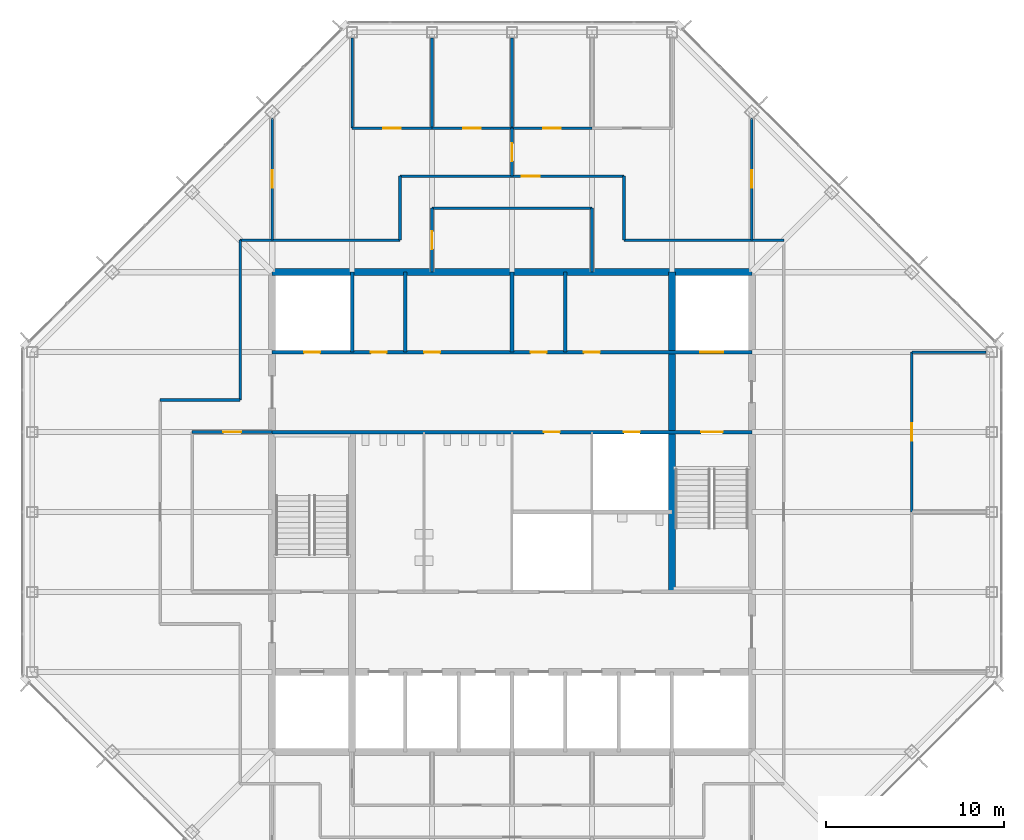
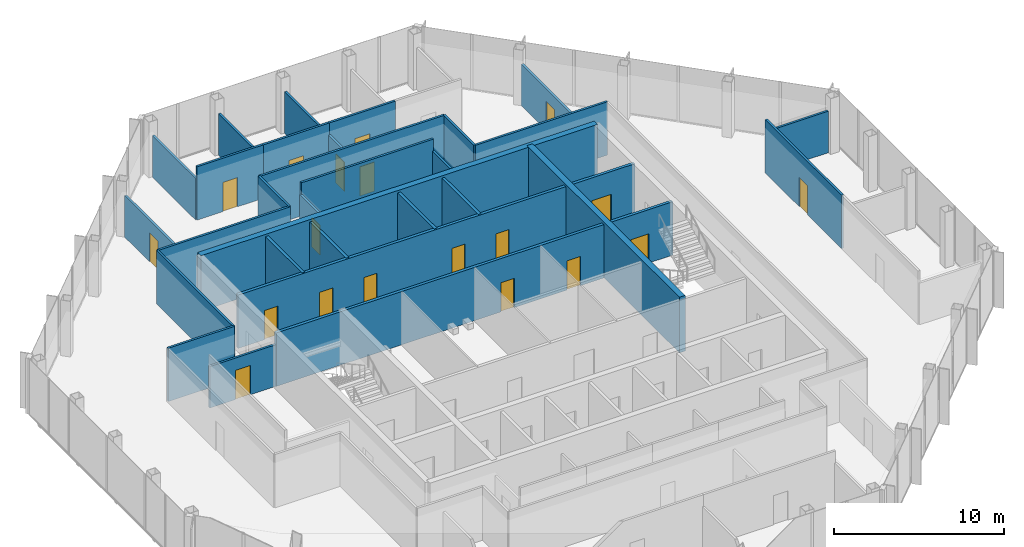
# One storey, part 11 of 14: 30 walls, 19 doors, 19 openings.
"""IFC4 building model written with IfcOpenShell, lengths in metres."""

from ifc_helpers import new_model, si_unit, direction, frame, frame_2d, origin, place, context, subcontext, project, spatial, rectangle, extrude, material, layer, layer_set, type_object, element, fill, save


model = new_model("IFC4")

# Units and contexts
model_context = context("Model", 3, precision=1e-05, world=origin(), true_north=direction((0.0, 1.0)))
body_context = subcontext(model_context, "Body", "Model", "MODEL_VIEW")
ifc_project = project(units=[si_unit("LENGTHUNIT", "METRE"), si_unit("AREAUNIT", "SQUARE_METRE"), si_unit("VOLUMEUNIT", "CUBIC_METRE"), si_unit("PLANEANGLEUNIT", "RADIAN"), si_unit("MASSUNIT", "GRAM", prefix="KILO")], contexts=[model_context])

# Site, building, storey
site_placement = place(None, origin())
site = spatial("IfcSite", under=ifc_project, at=site_placement, CompositionType="ELEMENT")
building_placement = place(site_placement, origin())
building = spatial("IfcBuilding", under=site, at=building_placement, Name="Corais Broadcast Tower", CompositionType="ELEMENT")
storey_placement = place(building_placement, frame((0.0, 0.0, 282.60009765625)))
storey = spatial("IfcBuildingStorey", under=building, at=storey_placement, Name="L66", CompositionType="ELEMENT", Elevation=282.60009765625)

# Wall
ifc_material_1 = material(Name="Concrete blockwork class A, grouted, two-hour", Category="masonry")
ifc_layer_1 = layer(ifc_material_1, 0.199951171875)
ifc_layer_set_1 = layer_set([ifc_layer_1], Name="Concrete blockwork class A, grouted, two-hour")
wall_type_1 = type_object("IfcWallType", Name="Core lobby wall 200", PredefinedType="SOLIDWALL", material=ifc_layer_set_1)
wall_1_placement = place(storey_placement, frame((18.0, 36.0, 0.0), z_axis=(0.0, 0.0, 1.0), x_axis=(0.0, 1.0, 0.0)))
element("IfcWall", 1, at=wall_1_placement, inside=storey, type_object=wall_type_1, Name="CL3 core shaft wall X18B L66", PredefinedType="SOLIDWALL", context=body_context, shape_type="SweptSolid", body=[
    extrude(rectangle(XDim=4.5, YDim=0.199951171875, at=frame_2d((2.25, 0.0))), origin(), (0.0, 0.0, 1.0), 3.83984375),
])

# Wall, openings, doors
wall_2_placement = place(storey_placement, frame((13.5, 31.5, 0.0), z_axis=(0.0, 0.0, 1.0), x_axis=(1.0, 0.0, 0.0)))
wall_2 = element("IfcWall", 2, at=wall_2_placement, inside=storey, type_object=wall_type_1, Name="CL3 core lobby wall Y315 L66", PredefinedType="SOLIDWALL", context=body_context, shape_type="SweptSolid", body=[
    extrude(rectangle(XDim=27.0, YDim=0.199951171875, at=frame_2d((13.5, 0.0))), origin(), (0.0, 0.0, 1.0), 3.83984375),
])
opening_1_placement = place(wall_2_placement, frame((24.14990234375, 0.0, 0.0)))
opening_1 = element("IfcOpeningElement", 3, at=opening_1_placement, cuts=wall_2, Name="Opening FD1", PredefinedType="OPENING", context=body_context, shape_type="SweptSolid", body=[
    extrude(rectangle(XDim=1.199951171875, YDim=2.10009765625, at=frame_2d((0.60009765625, 1.050048828125))), frame((0.0, 0.10986328125, 0.0), z_axis=(0.0, -1.0, 0.0), x_axis=(1.0, 0.0, 0.0)), (0.0, 0.0, 1.0), 0.219970703125),
])
opening_2_placement = place(wall_2_placement, frame((15.300048828125, 0.0, 0.0)))
opening_2 = element("IfcOpeningElement", 4, at=opening_2_placement, cuts=wall_2, Name="Opening RD1", PredefinedType="OPENING", context=body_context, shape_type="SweptSolid", body=[
    extrude(rectangle(XDim=0.89990234375, YDim=2.10009765625, at=frame_2d((0.449951171875, 1.050048828125))), frame((0.0, 0.10986328125, 0.0), z_axis=(0.0, -1.0, 0.0), x_axis=(1.0, 0.0, 0.0)), (0.0, 0.0, 1.0), 0.219970703125),
])
opening_3_placement = place(wall_2_placement, frame((19.800048828125, 0.0, 0.0)))
opening_3 = element("IfcOpeningElement", 5, at=opening_3_placement, cuts=wall_2, Name="Opening RD1", PredefinedType="OPENING", context=body_context, shape_type="SweptSolid", body=[
    extrude(rectangle(XDim=0.89990234375, YDim=2.10009765625, at=frame_2d((0.449951171875, 1.050048828125))), frame((0.0, 0.10986328125, 0.0), z_axis=(0.0, -1.0, 0.0), x_axis=(1.0, 0.0, 0.0)), (0.0, 0.0, 1.0), 0.219970703125),
])
ifc_material_2 = material(Name="Steel fire door", Category="steel")
door_type_1 = type_object("IfcDoorType", Name="Fire door 1200x2100", OperationType="SINGLE_SWING_LEFT", PredefinedType="DOOR", material=ifc_material_2)
door_1_placement = place(opening_1_placement, origin())
door_1 = element("IfcDoor", 6, at=door_1_placement, inside=storey, type_object=door_type_1, Name="FD1 stair B door L66", OperationType="SINGLE_SWING_RIGHT", OverallHeight=2.10009765625, OverallWidth=1.199951171875, PredefinedType="DOOR", context=body_context, shape_type="SweptSolid", body=[
    extrude(rectangle(XDim=1.199951171875, YDim=2.10009765625, at=frame_2d((0.60009765625, 1.050048828125))), frame((0.0, 0.02490234375, 0.0), z_axis=(0.0, -1.0, 0.0), x_axis=(1.0, 0.0, 0.0)), (0.0, 0.0, 1.0), 0.050048828125),
])
fill(opening_1, door_1)
ifc_material_3 = material(Name="Steel fire door", Category="steel")
door_type_2 = type_object("IfcDoorType", Name="Riser door 900x2100", OperationType="SINGLE_SWING_LEFT", PredefinedType="DOOR", material=ifc_material_3)
door_2_placement = place(opening_2_placement, origin())
door_2 = element("IfcDoor", 7, at=door_2_placement, inside=storey, type_object=door_type_2, Name="RD1 tea point door L66", OperationType="SINGLE_SWING_RIGHT", OverallHeight=2.10009765625, OverallWidth=0.89990234375, PredefinedType="DOOR", context=body_context, shape_type="SweptSolid", body=[
    extrude(rectangle(XDim=0.89990234375, YDim=2.10009765625, at=frame_2d((0.449951171875, 1.050048828125))), frame((0.0, 0.02490234375, 0.0), z_axis=(0.0, -1.0, 0.0), x_axis=(1.0, 0.0, 0.0)), (0.0, 0.0, 1.0), 0.050048828125),
])
fill(opening_2, door_2)
door_3_placement = place(opening_3_placement, origin())
door_3 = element("IfcDoor", 8, at=door_3_placement, inside=storey, type_object=door_type_2, Name="RD1 riser door L66", OperationType="SINGLE_SWING_RIGHT", OverallHeight=2.10009765625, OverallWidth=0.89990234375, PredefinedType="DOOR", context=body_context, shape_type="SweptSolid", body=[
    extrude(rectangle(XDim=0.89990234375, YDim=2.10009765625, at=frame_2d((0.449951171875, 1.050048828125))), frame((0.0, 0.02490234375, 0.0), z_axis=(0.0, -1.0, 0.0), x_axis=(1.0, 0.0, 0.0)), (0.0, 0.0, 1.0), 0.050048828125),
])
fill(opening_3, door_3)

# Walls
ifc_material_4 = material(Name="Concrete C50/60", Category="concrete")
ifc_layer_2 = layer(ifc_material_4, 0.39990234375)
ifc_layer_set_2 = layer_set([ifc_layer_2], Name="Concrete C50/60")
wall_type_2 = type_object("IfcWallType", Name="Core wall 400", PredefinedType="SHEAR", material=ifc_layer_set_2)
wall_3_placement = place(storey_placement, frame((40.5, 40.5, 0.0), z_axis=(0.0, 0.0, 1.0), x_axis=(-1.0, 0.0, 0.0)))
element("IfcWall", 9, at=wall_3_placement, inside=storey, type_object=wall_type_2, Name="CR400 core wall N L66", PredefinedType="SHEAR", context=body_context, shape_type="SweptSolid", body=[
    extrude(rectangle(XDim=27.0, YDim=0.39990234375, at=frame_2d((13.5, 0.0))), origin(), (0.0, 0.0, 1.0), 4.0),
])
wall_4_placement = place(storey_placement, frame((36.0, 22.5, 0.0), z_axis=(0.0, 0.0, 1.0), x_axis=(0.0, 1.0, 0.0)))
element("IfcWall", 10, at=wall_4_placement, inside=storey, type_object=wall_type_2, Name="CR400 core wall X36B L66", PredefinedType="SHEAR", context=body_context, shape_type="SweptSolid", body=[
    extrude(rectangle(XDim=18.0, YDim=0.39990234375, at=frame_2d((9.0, 0.0))), origin(), (0.0, 0.0, 1.0), 4.0),
])

# Wall, openings, doors
ifc_material_5 = material(Name="Concrete blockwork class A, grouted, four-hour", Category="masonry")
ifc_layer_3 = layer(ifc_material_5, 0.199951171875)
ifc_layer_set_3 = layer_set([ifc_layer_3], Name="Concrete blockwork class A, grouted, four-hour")
wall_type_3 = type_object("IfcWallType", Name="Emergency lift shaft wall 200", PredefinedType="SOLIDWALL", material=ifc_layer_set_3)
wall_5_placement = place(storey_placement, frame((13.5, 36.0, 0.0), z_axis=(0.0, 0.0, 1.0), x_axis=(1.0, 0.0, 0.0)))
wall_5 = element("IfcWall", 11, at=wall_5_placement, inside=storey, type_object=wall_type_3, Name="LS3 core lobby wall Y36 L66", PredefinedType="SOLIDWALL", context=body_context, shape_type="SweptSolid", body=[
    extrude(rectangle(XDim=27.0, YDim=0.199951171875, at=frame_2d((13.5, 0.0))), origin(), (0.0, 0.0, 1.0), 3.83984375),
])
opening_4_placement = place(wall_5_placement, frame((1.800048828125, 0.0, 0.0)))
opening_4 = element("IfcOpeningElement", 12, at=opening_4_placement, cuts=wall_5, Name="Opening RD1", PredefinedType="OPENING", context=body_context, shape_type="SweptSolid", body=[
    extrude(rectangle(XDim=0.89990234375, YDim=2.10009765625, at=frame_2d((0.449951171875, 1.050048828125))), frame((0.0, 0.10986328125, 0.0), z_axis=(0.0, -1.0, 0.0), x_axis=(1.0, 0.0, 0.0)), (0.0, 0.0, 1.0), 0.219970703125),
])
opening_5_placement = place(wall_5_placement, frame((5.550048828125, 0.0, 0.0)))
opening_5 = element("IfcOpeningElement", 13, at=opening_5_placement, cuts=wall_5, Name="Opening RD1", PredefinedType="OPENING", context=body_context, shape_type="SweptSolid", body=[
    extrude(rectangle(XDim=0.89990234375, YDim=2.10009765625, at=frame_2d((0.449951171875, 1.050048828125))), frame((0.0, 0.10986328125, 0.0), z_axis=(0.0, -1.0, 0.0), x_axis=(1.0, 0.0, 0.0)), (0.0, 0.0, 1.0), 0.219970703125),
])
opening_6_placement = place(wall_5_placement, frame((8.550048828125, 0.0, 0.0)))
opening_6 = element("IfcOpeningElement", 14, at=opening_6_placement, cuts=wall_5, Name="Opening RD1", PredefinedType="OPENING", context=body_context, shape_type="SweptSolid", body=[
    extrude(rectangle(XDim=0.89990234375, YDim=2.10009765625, at=frame_2d((0.449951171875, 1.050048828125))), frame((0.0, 0.10986328125, 0.0), z_axis=(0.0, -1.0, 0.0), x_axis=(1.0, 0.0, 0.0)), (0.0, 0.0, 1.0), 0.219970703125),
])
opening_7_placement = place(wall_5_placement, frame((14.550048828125, 0.0, 0.0)))
opening_7 = element("IfcOpeningElement", 15, at=opening_7_placement, cuts=wall_5, Name="Opening RD1", PredefinedType="OPENING", context=body_context, shape_type="SweptSolid", body=[
    extrude(rectangle(XDim=0.89990234375, YDim=2.10009765625, at=frame_2d((0.449951171875, 1.050048828125))), frame((0.0, 0.10986328125, 0.0), z_axis=(0.0, -1.0, 0.0), x_axis=(1.0, 0.0, 0.0)), (0.0, 0.0, 1.0), 0.219970703125),
])
opening_8_placement = place(wall_5_placement, frame((17.550048828125, 0.0, 0.0)))
opening_8 = element("IfcOpeningElement", 16, at=opening_8_placement, cuts=wall_5, Name="Opening RD1", PredefinedType="OPENING", context=body_context, shape_type="SweptSolid", body=[
    extrude(rectangle(XDim=0.89990234375, YDim=2.10009765625, at=frame_2d((0.449951171875, 1.050048828125))), frame((0.0, 0.10986328125, 0.0), z_axis=(0.0, -1.0, 0.0), x_axis=(1.0, 0.0, 0.0)), (0.0, 0.0, 1.0), 0.219970703125),
])
opening_9_placement = place(wall_5_placement, frame((24.10009765625, 0.0, 0.0)))
opening_9 = element("IfcOpeningElement", 17, at=opening_9_placement, cuts=wall_5, Name="Opening LD2", PredefinedType="OPENING", context=body_context, shape_type="SweptSolid", body=[
    extrude(rectangle(XDim=1.300048828125, YDim=2.199951171875, at=frame_2d((0.64990234375, 1.10009765625))), frame((0.0, 0.10986328125, 0.0), z_axis=(0.0, -1.0, 0.0), x_axis=(1.0, 0.0, 0.0)), (0.0, 0.0, 1.0), 0.219970703125),
])
ifc_material_6 = material(Name="Stainless steel lift door", Category="steel")
door_type_3 = type_object("IfcDoorType", Name="Lift landing door 1300x2200", OperationType="SLIDING_TO_LEFT", PredefinedType="DOOR", material=ifc_material_6)
door_4_placement = place(opening_9_placement, origin())
door_4 = element("IfcDoor", 18, at=door_4_placement, inside=storey, type_object=door_type_3, Name="LD2 FL2 landing door L66", OperationType="SLIDING_TO_LEFT", OverallHeight=2.199951171875, OverallWidth=1.300048828125, PredefinedType="DOOR", context=body_context, shape_type="SweptSolid", body=[
    extrude(rectangle(XDim=1.300048828125, YDim=2.199951171875, at=frame_2d((0.64990234375, 1.10009765625))), frame((0.0, 0.02490234375, 0.0), z_axis=(0.0, -1.0, 0.0), x_axis=(1.0, 0.0, 0.0)), (0.0, 0.0, 1.0), 0.050048828125),
])
fill(opening_9, door_4)
door_5_placement = place(opening_4_placement, origin())
door_5 = element("IfcDoor", 19, at=door_5_placement, inside=storey, type_object=door_type_2, Name="RD1 riser door L66", OperationType="SINGLE_SWING_LEFT", OverallHeight=2.10009765625, OverallWidth=0.89990234375, PredefinedType="DOOR", context=body_context, shape_type="SweptSolid", body=[
    extrude(rectangle(XDim=0.89990234375, YDim=2.10009765625, at=frame_2d((0.449951171875, 1.050048828125))), frame((0.0, 0.02490234375, 0.0), z_axis=(0.0, -1.0, 0.0), x_axis=(1.0, 0.0, 0.0)), (0.0, 0.0, 1.0), 0.050048828125),
])
fill(opening_4, door_5)
door_6_placement = place(opening_5_placement, origin())
door_6 = element("IfcDoor", 20, at=door_6_placement, inside=storey, type_object=door_type_2, Name="RD1 media store door L66", OperationType="SINGLE_SWING_LEFT", OverallHeight=2.10009765625, OverallWidth=0.89990234375, PredefinedType="DOOR", context=body_context, shape_type="SweptSolid", body=[
    extrude(rectangle(XDim=0.89990234375, YDim=2.10009765625, at=frame_2d((0.449951171875, 1.050048828125))), frame((0.0, 0.02490234375, 0.0), z_axis=(0.0, -1.0, 0.0), x_axis=(1.0, 0.0, 0.0)), (0.0, 0.0, 1.0), 0.050048828125),
])
fill(opening_5, door_6)
door_7_placement = place(opening_6_placement, origin())
door_7 = element("IfcDoor", 21, at=door_7_placement, inside=storey, type_object=door_type_2, Name="RD1 locker room door L66", OperationType="SINGLE_SWING_LEFT", OverallHeight=2.10009765625, OverallWidth=0.89990234375, PredefinedType="DOOR", context=body_context, shape_type="SweptSolid", body=[
    extrude(rectangle(XDim=0.89990234375, YDim=2.10009765625, at=frame_2d((0.449951171875, 1.050048828125))), frame((0.0, 0.02490234375, 0.0), z_axis=(0.0, -1.0, 0.0), x_axis=(1.0, 0.0, 0.0)), (0.0, 0.0, 1.0), 0.050048828125),
])
fill(opening_6, door_7)
door_8_placement = place(opening_7_placement, origin())
door_8 = element("IfcDoor", 22, at=door_8_placement, inside=storey, type_object=door_type_2, Name="RD1 print room door L66", OperationType="SINGLE_SWING_RIGHT", OverallHeight=2.10009765625, OverallWidth=0.89990234375, PredefinedType="DOOR", context=body_context, shape_type="SweptSolid", body=[
    extrude(rectangle(XDim=0.89990234375, YDim=2.10009765625, at=frame_2d((0.449951171875, 1.050048828125))), frame((0.0, 0.02490234375, 0.0), z_axis=(0.0, -1.0, 0.0), x_axis=(1.0, 0.0, 0.0)), (0.0, 0.0, 1.0), 0.050048828125),
])
fill(opening_7, door_8)
door_9_placement = place(opening_8_placement, origin())
door_9 = element("IfcDoor", 23, at=door_9_placement, inside=storey, type_object=door_type_2, Name="RD1 wellness room door L66", OperationType="SINGLE_SWING_RIGHT", OverallHeight=2.10009765625, OverallWidth=0.89990234375, PredefinedType="DOOR", context=body_context, shape_type="SweptSolid", body=[
    extrude(rectangle(XDim=0.89990234375, YDim=2.10009765625, at=frame_2d((0.449951171875, 1.050048828125))), frame((0.0, 0.02490234375, 0.0), z_axis=(0.0, -1.0, 0.0), x_axis=(1.0, 0.0, 0.0)), (0.0, 0.0, 1.0), 0.050048828125),
])
fill(opening_8, door_9)

# Wall, opening, door
ifc_material_7 = material(Name="Gypsum board on steel studs", Category="steel")
ifc_layer_4 = layer(ifc_material_7, 0.14990234375)
ifc_layer_set_4 = layer_set([ifc_layer_4], Name="Gypsum board on steel studs")
wall_type_4 = type_object("IfcWallType", Name="Partition 150", PredefinedType="PARTITIONING", material=ifc_layer_set_4)
wall_6_placement = place(storey_placement, frame((33.300048828125, 45.89990234375, 0.0), z_axis=(0.0, 0.0, 1.0), x_axis=(-1.0, 0.0, 0.0)))
wall_6 = element("IfcWall", 24, at=wall_6_placement, inside=storey, type_object=wall_type_4, Name="IW3 corridor wall L66", PredefinedType="PARTITIONING", context=body_context, shape_type="SweptSolid", body=[
    extrude(rectangle(XDim=12.60009765625, YDim=0.14990234375, at=frame_2d((6.300048828125, 0.0))), origin(), (0.0, 0.0, 1.0), 3.83984375),
])
opening_10_placement = place(wall_6_placement, frame((4.75, 0.0, 0.0)))
opening_10 = element("IfcOpeningElement", 25, at=opening_10_placement, cuts=wall_6, Name="Opening D1", PredefinedType="OPENING", context=body_context, shape_type="SweptSolid", body=[
    extrude(rectangle(XDim=1.0, YDim=2.10009765625, at=frame_2d((0.5, 1.050048828125))), frame((0.0, 0.0849609375, 0.0), z_axis=(0.0, -1.0, 0.0), x_axis=(1.0, 0.0, 0.0)), (0.0, 0.0, 1.0), 0.169921875),
])
ifc_material_8 = material(Name="Timber door", Category="wood")
door_type_4 = type_object("IfcDoorType", Name="Single door 1000x2100", OperationType="SINGLE_SWING_LEFT", PredefinedType="DOOR", material=ifc_material_8)
door_10_placement = place(opening_10_placement, origin())
door_10 = element("IfcDoor", 26, at=door_10_placement, inside=storey, type_object=door_type_4, Name="D1 workplace door L66", OperationType="SINGLE_SWING_LEFT", OverallHeight=2.10009765625, OverallWidth=1.0, PredefinedType="DOOR", context=body_context, shape_type="SweptSolid", body=[
    extrude(rectangle(XDim=1.0, YDim=2.10009765625, at=frame_2d((0.5, 1.050048828125))), frame((0.0, 0.02490234375, 0.0), z_axis=(0.0, -1.0, 0.0), x_axis=(1.0, 0.0, 0.0)), (0.0, 0.0, 1.0), 0.050048828125),
])
fill(opening_10, door_10)

# Walls
for number, where, z_axis, x_axis, name in (
    (27, (11.699951171875, 42.300048828125, 0.0), (0.0, 0.0, 1.0), (0.0, -1.0, 0.0), "IW3 corridor wall L66"),
    (28, (20.699951171875, 42.300048828125, 0.0), (0.0, 0.0, 1.0), (-1.0, 0.0, 0.0), "IW3 corridor wall L66"),
    (29, (42.300048828125, 42.300048828125, 0.0), (0.0, 0.0, 1.0), (-1.0, 0.0, 0.0), "IW3 corridor wall L66"),
):
    element("IfcWall", number, at=place(storey_placement, frame(where, z_axis=z_axis, x_axis=x_axis)), inside=storey, type_object=wall_type_4, Name=name, PredefinedType="PARTITIONING", context=body_context, shape_type="SweptSolid", body=[
        extrude(rectangle(XDim=9.0, YDim=0.14990234375, at=frame_2d((4.5, 0.0))), origin(), (0.0, 0.0, 1.0), 3.83984375),
    ])
wall_7_placement = place(storey_placement, frame((11.699951171875, 33.300048828125, 0.0), z_axis=(0.0, 0.0, 1.0), x_axis=(-1.0, 0.0, 0.0)))
element("IfcWall", 30, at=wall_7_placement, inside=storey, type_object=wall_type_4, Name="IW3 corridor wall L66", PredefinedType="PARTITIONING", context=body_context, shape_type="SweptSolid", body=[
    extrude(rectangle(XDim=4.5, YDim=0.14990234375, at=frame_2d((2.25, 0.0))), origin(), (0.0, 0.0, 1.0), 3.83984375),
])
for number, where, z_axis, x_axis, name in (
    (31, (20.699951171875, 45.89990234375, 0.0), (0.0, 0.0, 1.0), (0.0, -1.0, 0.0), "IW3 corridor wall L66"),
    (32, (33.300048828125, 42.300048828125, 0.0), (0.0, 0.0, 1.0), (0.0, 1.0, 0.0), "IW3 corridor wall L66"),
):
    element("IfcWall", number, at=place(storey_placement, frame(where, z_axis=z_axis, x_axis=x_axis)), inside=storey, type_object=wall_type_4, Name=name, PredefinedType="PARTITIONING", context=body_context, shape_type="SweptSolid", body=[
        extrude(rectangle(XDim=3.599853515625, YDim=0.14990234375, at=frame_2d((1.7998046875, 0.0))), origin(), (0.0, 0.0, 1.0), 3.83984375),
    ])
wall_8_placement = place(storey_placement, frame((53.68994140625, 36.0, 0.0), z_axis=(0.0, 0.0, 1.0), x_axis=(-1.0, 0.0, 0.0)))
element("IfcWall", 33, at=wall_8_placement, inside=storey, type_object=wall_type_4, Name="IW3 partition L66", PredefinedType="PARTITIONING", context=body_context, shape_type="SweptSolid", body=[
    extrude(rectangle(XDim=4.18994140625, YDim=0.14990234375, at=frame_2d((2.094970703125, 0.0))), origin(), (0.0, 0.0, 1.0), 2.989013671875),
])

# Wall, opening, door
wall_9_placement = place(storey_placement, frame((49.5, 36.0, 0.0), z_axis=(0.0, 0.0, 1.0), x_axis=(0.0, -1.0, 0.0)))
wall_9 = element("IfcWall", 34, at=wall_9_placement, inside=storey, type_object=wall_type_4, Name="IW3 partition L66", PredefinedType="PARTITIONING", context=body_context, shape_type="SweptSolid", body=[
    extrude(rectangle(XDim=9.0, YDim=0.14990234375, at=frame_2d((4.5, 0.0))), origin(), (0.0, 0.0, 1.0), 3.83984375),
])
opening_11_placement = place(wall_9_placement, frame((4.0, 0.0, 0.0)))
opening_11 = element("IfcOpeningElement", 35, at=opening_11_placement, cuts=wall_9, Name="Opening D1", PredefinedType="OPENING", context=body_context, shape_type="SweptSolid", body=[
    extrude(rectangle(XDim=1.0, YDim=2.10009765625, at=frame_2d((0.5, 1.050048828125))), frame((0.0, 0.0849609375, 0.0), z_axis=(0.0, -1.0, 0.0), x_axis=(1.0, 0.0, 0.0)), (0.0, 0.0, 1.0), 0.169921875),
])
door_11_placement = place(opening_11_placement, origin())
door_11 = element("IfcDoor", 36, at=door_11_placement, inside=storey, type_object=door_type_4, Name="D1 Director office door", OperationType="SINGLE_SWING_LEFT", OverallHeight=2.10009765625, OverallWidth=1.0, PredefinedType="DOOR", context=body_context, shape_type="SweptSolid", body=[
    extrude(rectangle(XDim=1.0, YDim=2.10009765625, at=frame_2d((0.5, 1.050048828125))), frame((0.0, 0.02490234375, 0.0), z_axis=(0.0, -1.0, 0.0), x_axis=(1.0, 0.0, 0.0)), (0.0, 0.0, 1.0), 0.050048828125),
])
fill(opening_11, door_11)

wall_10_placement = place(storey_placement, frame((13.5, 31.5, 0.0), z_axis=(0.0, 0.0, 1.0), x_axis=(-1.0, 0.0, 0.0)))
wall_10 = element("IfcWall", 37, at=wall_10_placement, inside=storey, type_object=wall_type_4, Name="IW3 partition L66", PredefinedType="PARTITIONING", context=body_context, shape_type="SweptSolid", body=[
    extrude(rectangle(XDim=4.5, YDim=0.14990234375, at=frame_2d((2.25, 0.0))), origin(), (0.0, 0.0, 1.0), 2.989013671875),
])
opening_12_placement = place(wall_10_placement, frame((1.75, 0.0, 0.0)))
opening_12 = element("IfcOpeningElement", 38, at=opening_12_placement, cuts=wall_10, Name="Opening D1", PredefinedType="OPENING", context=body_context, shape_type="SweptSolid", body=[
    extrude(rectangle(XDim=1.0, YDim=2.10009765625, at=frame_2d((0.5, 1.050048828125))), frame((0.0, 0.0849609375, 0.0), z_axis=(0.0, -1.0, 0.0), x_axis=(1.0, 0.0, 0.0)), (0.0, 0.0, 1.0), 0.169921875),
])
door_12_placement = place(opening_12_placement, origin())
door_12 = element("IfcDoor", 39, at=door_12_placement, inside=storey, type_object=door_type_4, Name="D1 Meeting room door", OperationType="SINGLE_SWING_LEFT", OverallHeight=2.10009765625, OverallWidth=1.0, PredefinedType="DOOR", context=body_context, shape_type="SweptSolid", body=[
    extrude(rectangle(XDim=1.0, YDim=2.10009765625, at=frame_2d((0.5, 1.050048828125))), frame((0.0, 0.02490234375, 0.0), z_axis=(0.0, -1.0, 0.0), x_axis=(1.0, 0.0, 0.0)), (0.0, 0.0, 1.0), 0.050048828125),
])
fill(opening_12, door_12)

# Walls
wall_11_placement = place(storey_placement, frame((31.5, 40.5, 0.0), z_axis=(0.0, 0.0, 1.0), x_axis=(0.0, 1.0, 0.0)))
element("IfcWall", 40, at=wall_11_placement, inside=storey, type_object=wall_type_4, Name="IW3 partition L66", PredefinedType="PARTITIONING", context=body_context, shape_type="SweptSolid", body=[
    extrude(rectangle(XDim=3.60009765625, YDim=0.14990234375, at=frame_2d((1.800048828125, 0.0))), origin(), (0.0, 0.0, 1.0), 2.989013671875),
])
wall_12_placement = place(storey_placement, frame((31.5, 44.10009765625, 0.0), z_axis=(0.0, 0.0, 1.0), x_axis=(-1.0, 0.0, 0.0)))
element("IfcWall", 41, at=wall_12_placement, inside=storey, type_object=wall_type_4, Name="IW3 partition L66", PredefinedType="PARTITIONING", context=body_context, shape_type="SweptSolid", body=[
    extrude(rectangle(XDim=9.0, YDim=0.14990234375, at=frame_2d((4.5, 0.0))), origin(), (0.0, 0.0, 1.0), 3.83984375),
])

# Wall, opening, door
wall_13_placement = place(storey_placement, frame((22.5, 44.10009765625, 0.0), z_axis=(0.0, 0.0, 1.0), x_axis=(0.0, -1.0, 0.0)))
wall_13 = element("IfcWall", 42, at=wall_13_placement, inside=storey, type_object=wall_type_4, Name="IW3 partition L66", PredefinedType="PARTITIONING", context=body_context, shape_type="SweptSolid", body=[
    extrude(rectangle(XDim=3.60009765625, YDim=0.14990234375, at=frame_2d((1.800048828125, 0.0))), origin(), (0.0, 0.0, 1.0), 2.989013671875),
])
opening_13_placement = place(wall_13_placement, frame((1.300048828125, 0.0, 0.0)))
opening_13 = element("IfcOpeningElement", 43, at=opening_13_placement, cuts=wall_13, Name="Opening D1", PredefinedType="OPENING", context=body_context, shape_type="SweptSolid", body=[
    extrude(rectangle(XDim=1.0, YDim=2.10009765625, at=frame_2d((0.5, 1.050048828125))), frame((0.0, 0.0849609375, 0.0), z_axis=(0.0, -1.0, 0.0), x_axis=(1.0, 0.0, 0.0)), (0.0, 0.0, 1.0), 0.169921875),
])
door_13_placement = place(opening_13_placement, origin())
door_13 = element("IfcDoor", 44, at=door_13_placement, inside=storey, type_object=door_type_4, Name="D1 Pantry door", OperationType="SINGLE_SWING_LEFT", OverallHeight=2.10009765625, OverallWidth=1.0, PredefinedType="DOOR", context=body_context, shape_type="SweptSolid", body=[
    extrude(rectangle(XDim=1.0, YDim=2.10009765625, at=frame_2d((0.5, 1.050048828125))), frame((0.0, 0.02490234375, 0.0), z_axis=(0.0, -1.0, 0.0), x_axis=(1.0, 0.0, 0.0)), (0.0, 0.0, 1.0), 0.050048828125),
])
fill(opening_13, door_13)

wall_14_placement = place(storey_placement, frame((18.0, 48.60009765625, 0.0), z_axis=(0.0, 0.0, 1.0), x_axis=(1.0, 0.0, 0.0)))
wall_14 = element("IfcWall", 45, at=wall_14_placement, inside=storey, type_object=wall_type_4, Name="IW3 partition L66", PredefinedType="PARTITIONING", context=body_context, shape_type="SweptSolid", body=[
    extrude(rectangle(XDim=4.5, YDim=0.14990234375, at=frame_2d((2.25, 0.0))), origin(), (0.0, 0.0, 1.0), 3.83984375),
])
opening_14_placement = place(wall_14_placement, frame((1.75, 0.0, 0.0)))
opening_14 = element("IfcOpeningElement", 46, at=opening_14_placement, cuts=wall_14, Name="Opening D1", PredefinedType="OPENING", context=body_context, shape_type="SweptSolid", body=[
    extrude(rectangle(XDim=1.0, YDim=2.10009765625, at=frame_2d((0.5, 1.050048828125))), frame((0.0, 0.0849609375, 0.0), z_axis=(0.0, -1.0, 0.0), x_axis=(1.0, 0.0, 0.0)), (0.0, 0.0, 1.0), 0.169921875),
])
door_14_placement = place(opening_14_placement, origin())
door_14 = element("IfcDoor", 47, at=door_14_placement, inside=storey, type_object=door_type_4, Name="D1 Assistant office door", OperationType="SINGLE_SWING_LEFT", OverallHeight=2.10009765625, OverallWidth=1.0, PredefinedType="DOOR", context=body_context, shape_type="SweptSolid", body=[
    extrude(rectangle(XDim=1.0, YDim=2.10009765625, at=frame_2d((0.5, 1.050048828125))), frame((0.0, 0.02490234375, 0.0), z_axis=(0.0, -1.0, 0.0), x_axis=(1.0, 0.0, 0.0)), (0.0, 0.0, 1.0), 0.050048828125),
])
fill(opening_14, door_14)

# Walls
for number, where, z_axis, x_axis, name in (
    (48, (22.5, 48.60009765625, 0.0), (0.0, 0.0, 1.0), (0.0, 1.0, 0.0), "IW3 partition L66"),
    (49, (18.0, 53.68994140625, 0.0), (0.0, 0.0, 1.0), (0.0, -1.0, 0.0), "IW3 partition L66"),
):
    element("IfcWall", number, at=place(storey_placement, frame(where, z_axis=z_axis, x_axis=x_axis)), inside=storey, type_object=wall_type_4, Name=name, PredefinedType="PARTITIONING", context=body_context, shape_type="SweptSolid", body=[
        extrude(rectangle(XDim=5.08984375, YDim=0.14990234375, at=frame_2d((2.544921875, 0.0))), origin(), (0.0, 0.0, 1.0), 2.989013671875),
    ])

# Wall, opening, door
wall_15_placement = place(storey_placement, frame((22.5, 48.60009765625, 0.0), z_axis=(0.0, 0.0, 1.0), x_axis=(1.0, 0.0, 0.0)))
wall_15 = element("IfcWall", 50, at=wall_15_placement, inside=storey, type_object=wall_type_4, Name="IW3 partition L66", PredefinedType="PARTITIONING", context=body_context, shape_type="SweptSolid", body=[
    extrude(rectangle(XDim=4.5, YDim=0.14990234375, at=frame_2d((2.25, 0.0))), origin(), (0.0, 0.0, 1.0), 3.83984375),
])
opening_15_placement = place(wall_15_placement, frame((1.75, 0.0, 0.0)))
opening_15 = element("IfcOpeningElement", 51, at=opening_15_placement, cuts=wall_15, Name="Opening D1", PredefinedType="OPENING", context=body_context, shape_type="SweptSolid", body=[
    extrude(rectangle(XDim=1.0, YDim=2.10009765625, at=frame_2d((0.5, 1.050048828125))), frame((0.0, 0.0849609375, 0.0), z_axis=(0.0, -1.0, 0.0), x_axis=(1.0, 0.0, 0.0)), (0.0, 0.0, 1.0), 0.169921875),
])
door_15_placement = place(opening_15_placement, origin())
door_15 = element("IfcDoor", 52, at=door_15_placement, inside=storey, type_object=door_type_4, Name="D1 Assistant office door", OperationType="SINGLE_SWING_LEFT", OverallHeight=2.10009765625, OverallWidth=1.0, PredefinedType="DOOR", context=body_context, shape_type="SweptSolid", body=[
    extrude(rectangle(XDim=1.0, YDim=2.10009765625, at=frame_2d((0.5, 1.050048828125))), frame((0.0, 0.02490234375, 0.0), z_axis=(0.0, -1.0, 0.0), x_axis=(1.0, 0.0, 0.0)), (0.0, 0.0, 1.0), 0.050048828125),
])
fill(opening_15, door_15)

# Wall
wall_16_placement = place(storey_placement, frame((27.0, 48.60009765625, 0.0), z_axis=(0.0, 0.0, 1.0), x_axis=(0.0, 1.0, 0.0)))
element("IfcWall", 53, at=wall_16_placement, inside=storey, type_object=wall_type_4, Name="IW3 partition L66", PredefinedType="PARTITIONING", context=body_context, shape_type="SweptSolid", body=[
    extrude(rectangle(XDim=5.08984375, YDim=0.14990234375, at=frame_2d((2.544921875, 0.0))), origin(), (0.0, 0.0, 1.0), 2.989013671875),
])

# Wall, opening, door
wall_17_placement = place(storey_placement, frame((27.0, 48.60009765625, 0.0), z_axis=(0.0, 0.0, 1.0), x_axis=(1.0, 0.0, 0.0)))
wall_17 = element("IfcWall", 54, at=wall_17_placement, inside=storey, type_object=wall_type_4, Name="IW3 partition L66", PredefinedType="PARTITIONING", context=body_context, shape_type="SweptSolid", body=[
    extrude(rectangle(XDim=4.5, YDim=0.14990234375, at=frame_2d((2.25, 0.0))), origin(), (0.0, 0.0, 1.0), 3.83984375),
])
opening_16_placement = place(wall_17_placement, frame((1.75, 0.0, 0.0)))
opening_16 = element("IfcOpeningElement", 55, at=opening_16_placement, cuts=wall_17, Name="Opening D1", PredefinedType="OPENING", context=body_context, shape_type="SweptSolid", body=[
    extrude(rectangle(XDim=1.0, YDim=2.10009765625, at=frame_2d((0.5, 1.050048828125))), frame((0.0, 0.0849609375, 0.0), z_axis=(0.0, -1.0, 0.0), x_axis=(1.0, 0.0, 0.0)), (0.0, 0.0, 1.0), 0.169921875),
])
door_16_placement = place(opening_16_placement, origin())
door_16 = element("IfcDoor", 56, at=door_16_placement, inside=storey, type_object=door_type_4, Name="D1 Assistant office door", OperationType="SINGLE_SWING_LEFT", OverallHeight=2.10009765625, OverallWidth=1.0, PredefinedType="DOOR", context=body_context, shape_type="SweptSolid", body=[
    extrude(rectangle(XDim=1.0, YDim=2.10009765625, at=frame_2d((0.5, 1.050048828125))), frame((0.0, 0.02490234375, 0.0), z_axis=(0.0, -1.0, 0.0), x_axis=(1.0, 0.0, 0.0)), (0.0, 0.0, 1.0), 0.050048828125),
])
fill(opening_16, door_16)

wall_18_placement = place(storey_placement, frame((13.5, 42.300048828125, 0.0), z_axis=(0.0, 0.0, 1.0), x_axis=(0.0, 1.0, 0.0)))
wall_18 = element("IfcWall", 57, at=wall_18_placement, inside=storey, type_object=wall_type_4, Name="IW3 partition L66", PredefinedType="PARTITIONING", context=body_context, shape_type="SweptSolid", body=[
    extrude(rectangle(XDim=6.8798828125, YDim=0.14990234375, at=frame_2d((3.43994140625, 0.0))), origin(), (0.0, 0.0, 1.0), 2.989013671875),
])
opening_17_placement = place(wall_18_placement, frame((2.93994140625, 0.0, 0.0)))
opening_17 = element("IfcOpeningElement", 58, at=opening_17_placement, cuts=wall_18, Name="Opening D1", PredefinedType="OPENING", context=body_context, shape_type="SweptSolid", body=[
    extrude(rectangle(XDim=1.0, YDim=2.10009765625, at=frame_2d((0.5, 1.050048828125))), frame((0.0, 0.0849609375, 0.0), z_axis=(0.0, -1.0, 0.0), x_axis=(1.0, 0.0, 0.0)), (0.0, 0.0, 1.0), 0.169921875),
])
door_17_placement = place(opening_17_placement, origin())
door_17 = element("IfcDoor", 59, at=door_17_placement, inside=storey, type_object=door_type_4, Name="D1 team room door L66", OperationType="SINGLE_SWING_LEFT", OverallHeight=2.10009765625, OverallWidth=1.0, PredefinedType="DOOR", context=body_context, shape_type="SweptSolid", body=[
    extrude(rectangle(XDim=1.0, YDim=2.10009765625, at=frame_2d((0.5, 1.050048828125))), frame((0.0, 0.02490234375, 0.0), z_axis=(0.0, -1.0, 0.0), x_axis=(1.0, 0.0, 0.0)), (0.0, 0.0, 1.0), 0.050048828125),
])
fill(opening_17, door_17)

wall_19_placement = place(storey_placement, frame((27.0, 48.60009765625, 0.0), z_axis=(0.0, 0.0, 1.0), x_axis=(0.0, -1.0, 0.0)))
wall_19 = element("IfcWall", 60, at=wall_19_placement, inside=storey, type_object=wall_type_4, Name="IW3 partition L66", PredefinedType="PARTITIONING", context=body_context, shape_type="SweptSolid", body=[
    extrude(rectangle(XDim=2.7001953125, YDim=0.14990234375, at=frame_2d((1.35009765625, 0.0))), origin(), (0.0, 0.0, 1.0), 2.989013671875),
])
opening_18_placement = place(wall_19_placement, frame((0.85009765625, 0.0, 0.0)))
opening_18 = element("IfcOpeningElement", 61, at=opening_18_placement, cuts=wall_19, Name="Opening D1", PredefinedType="OPENING", context=body_context, shape_type="SweptSolid", body=[
    extrude(rectangle(XDim=1.0, YDim=2.10009765625, at=frame_2d((0.5, 1.050048828125))), frame((0.0, 0.0849609375, 0.0), z_axis=(0.0, -1.0, 0.0), x_axis=(1.0, 0.0, 0.0)), (0.0, 0.0, 1.0), 0.169921875),
])
door_18_placement = place(opening_18_placement, origin())
door_18 = element("IfcDoor", 62, at=door_18_placement, inside=storey, type_object=door_type_4, Name="D1 team room door L66", OperationType="SINGLE_SWING_LEFT", OverallHeight=2.10009765625, OverallWidth=1.0, PredefinedType="DOOR", context=body_context, shape_type="SweptSolid", body=[
    extrude(rectangle(XDim=1.0, YDim=2.10009765625, at=frame_2d((0.5, 1.050048828125))), frame((0.0, 0.02490234375, 0.0), z_axis=(0.0, -1.0, 0.0), x_axis=(1.0, 0.0, 0.0)), (0.0, 0.0, 1.0), 0.050048828125),
])
fill(opening_18, door_18)

wall_20_placement = place(storey_placement, frame((40.5, 42.300048828125, 0.0), z_axis=(0.0, 0.0, 1.0), x_axis=(0.0, 1.0, 0.0)))
wall_20 = element("IfcWall", 63, at=wall_20_placement, inside=storey, type_object=wall_type_4, Name="IW3 partition L66", PredefinedType="PARTITIONING", context=body_context, shape_type="SweptSolid", body=[
    extrude(rectangle(XDim=6.8798828125, YDim=0.14990234375, at=frame_2d((3.43994140625, 0.0))), origin(), (0.0, 0.0, 1.0), 2.989013671875),
])
opening_19_placement = place(wall_20_placement, frame((2.93994140625, 0.0, 0.0)))
opening_19 = element("IfcOpeningElement", 64, at=opening_19_placement, cuts=wall_20, Name="Opening D1", PredefinedType="OPENING", context=body_context, shape_type="SweptSolid", body=[
    extrude(rectangle(XDim=1.0, YDim=2.10009765625, at=frame_2d((0.5, 1.050048828125))), frame((0.0, 0.0849609375, 0.0), z_axis=(0.0, -1.0, 0.0), x_axis=(1.0, 0.0, 0.0)), (0.0, 0.0, 1.0), 0.169921875),
])
door_19_placement = place(opening_19_placement, origin())
door_19 = element("IfcDoor", 65, at=door_19_placement, inside=storey, type_object=door_type_4, Name="D1 team room door L66", OperationType="SINGLE_SWING_LEFT", OverallHeight=2.10009765625, OverallWidth=1.0, PredefinedType="DOOR", context=body_context, shape_type="SweptSolid", body=[
    extrude(rectangle(XDim=1.0, YDim=2.10009765625, at=frame_2d((0.5, 1.050048828125))), frame((0.0, 0.02490234375, 0.0), z_axis=(0.0, -1.0, 0.0), x_axis=(1.0, 0.0, 0.0)), (0.0, 0.0, 1.0), 0.050048828125),
])
fill(opening_19, door_19)

# Walls
ifc_material_9 = material(Name="Concrete blockwork class A, grouted, two-hour", Category="masonry")
ifc_layer_5 = layer(ifc_material_9, 0.199951171875)
ifc_layer_set_5 = layer_set([ifc_layer_5], Name="Concrete blockwork class A, grouted, two-hour")
wall_type_5 = type_object("IfcWallType", Name="Shaft wall 200", PredefinedType="PARTITIONING", material=ifc_layer_set_5)
for number, where, z_axis, x_axis, name in (
    (66, (21.0, 36.0, 0.0), (0.0, 0.0, 1.0), (0.0, 1.0, 0.0), "IW1 shaft wall L66"),
    (67, (27.0, 36.0, 0.0), (0.0, 0.0, 1.0), (0.0, 1.0, 0.0), "IW1 shaft wall L66"),
    (68, (30.0, 36.0, 0.0), (0.0, 0.0, 1.0), (0.0, 1.0, 0.0), "IW1 shaft wall L66"),
):
    element("IfcWall", number, at=place(storey_placement, frame(where, z_axis=z_axis, x_axis=x_axis)), inside=storey, type_object=wall_type_5, Name=name, PredefinedType="PARTITIONING", context=body_context, shape_type="SweptSolid", body=[
        extrude(rectangle(XDim=4.5, YDim=0.199951171875, at=frame_2d((2.25, 0.0))), origin(), (0.0, 0.0, 1.0), 3.83984375),
    ])

save(model, "model.ifc")
